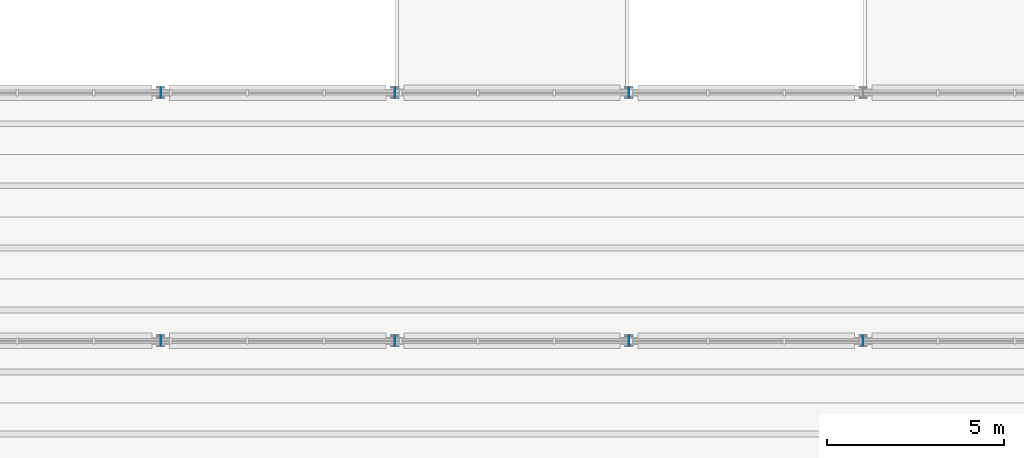
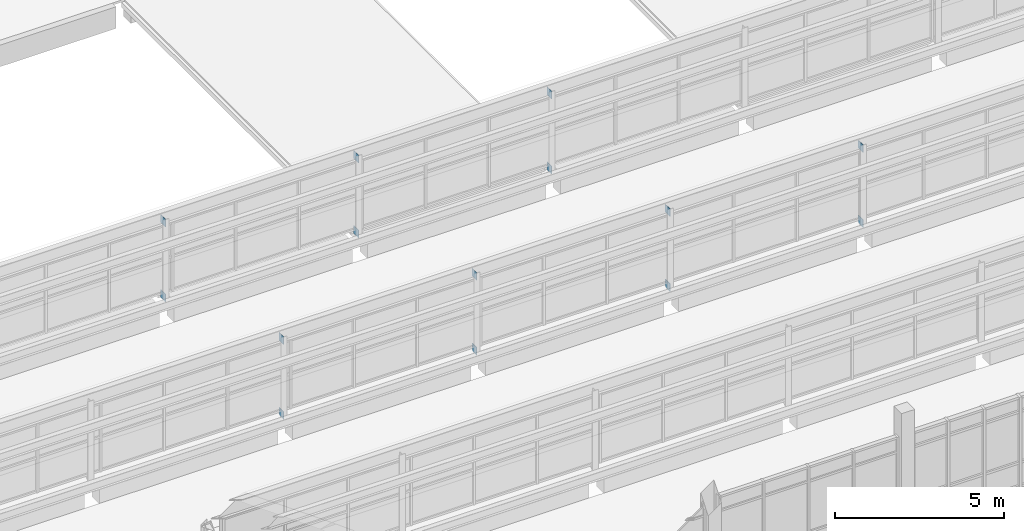
# One storey, part 78 of 92: 14 plates.
"""IFC4 building model written with IfcOpenShell, lengths in metres."""

from ifc_helpers import new_model, si_unit, direction, frame, origin, origin_2d, place, context, subcontext, project, spatial, rectangle, extrude, material, layer, layer_set, type_object, element, save


model = new_model("IFC4")

# Units and contexts
model_context = context("Model", 3, precision=1e-05, world=origin(), true_north=direction((0.0, 1.0)))
body_context = subcontext(model_context, "Body", "Model", "MODEL_VIEW")
ifc_project = project(units=[si_unit("LENGTHUNIT", "METRE"), si_unit("AREAUNIT", "SQUARE_METRE"), si_unit("VOLUMEUNIT", "CUBIC_METRE"), si_unit("PLANEANGLEUNIT", "RADIAN"), si_unit("MASSUNIT", "GRAM", prefix="KILO")], contexts=[model_context])

# Site, building, storey
site_placement = place(None, origin())
site = spatial("IfcSite", under=ifc_project, at=site_placement, CompositionType="ELEMENT")
building_placement = place(site_placement, origin())
building = spatial("IfcBuilding", under=site, at=building_placement, Name="Ciguamira Faculty of Natural Sciences", CompositionType="ELEMENT")
storey_placement = place(building_placement, frame((0.0, 0.0, 16.800048828125)))
storey = spatial("IfcBuildingStorey", under=building, at=storey_placement, Name="L04", CompositionType="ELEMENT", Elevation=16.800048828125)

# Plates
ifc_material = material(Name="Steel ASTM A572 Grade 50", Category="steel")
ifc_layer = layer(ifc_material, 0.01611328125, Name="Steel ASTM A572 Grade 50")
ifc_layer_set = layer_set([ifc_layer], Name="Steel ASTM A572 Grade 50")
plate_type = type_object("IfcPlateType", Name="GussetPlate_EP-01", PredefinedType="SHEET", material=ifc_layer_set)
for number, where, z_axis, x_axis, name in (
    (1, (70.5, 52.0, 0.0), (0.0, 0.0, 1.0), (1.0, 0.0, 0.0), "V4 wave 2 post connection plate 70-1"),
    (2, (70.5, 52.0, 2.7060546875), (0.0, 0.0, 1.0), (1.0, 0.0, 0.0), "V4 wave 2 post connection plate 70-2"),
    (3, (77.10009765625, 52.0, 0.0), (0.0, 0.0, 1.0), (1.0, 0.0, 0.0), "V4 wave 2 post connection plate 77-1"),
    (4, (77.10009765625, 52.0, 2.7060546875), (0.0, 0.0, 1.0), (1.0, 0.0, 0.0), "V4 wave 2 post connection plate 77-2"),
    (5, (83.699951171875, 52.0, 0.0), (0.0, 0.0, 1.0), (1.0, 0.0, 0.0), "V4 wave 2 post connection plate 84-1"),
    (6, (83.699951171875, 52.0, 2.7060546875), (0.0, 0.0, 1.0), (1.0, 0.0, 0.0), "V4 wave 2 post connection plate 84-2"),
    (7, (90.300048828125, 52.0, 0.0), (0.0, 0.0, 1.0), (1.0, 0.0, 0.0), "V4 wave 2 post connection plate 90-1"),
    (8, (90.300048828125, 52.0, 2.7060546875), (0.0, 0.0, 1.0), (1.0, 0.0, 0.0), "V4 wave 2 post connection plate 90-2"),
    (9, (70.5, 59.0, 0.0), (0.0, 0.0, 1.0), (1.0, 0.0, 0.0), "V4 wave 3 post connection plate 70-1"),
    (10, (70.5, 59.0, 2.7060546875), (0.0, 0.0, 1.0), (1.0, 0.0, 0.0), "V4 wave 3 post connection plate 70-2"),
    (11, (77.10009765625, 59.0, 0.0), (0.0, 0.0, 1.0), (1.0, 0.0, 0.0), "V4 wave 3 post connection plate 77-1"),
    (12, (77.10009765625, 59.0, 2.7060546875), (0.0, 0.0, 1.0), (1.0, 0.0, 0.0), "V4 wave 3 post connection plate 77-2"),
    (13, (83.699951171875, 59.0, 0.0), (0.0, 0.0, 1.0), (1.0, 0.0, 0.0), "V4 wave 3 post connection plate 84-1"),
    (14, (83.699951171875, 59.0, 2.7060546875), (0.0, 0.0, 1.0), (1.0, 0.0, 0.0), "V4 wave 3 post connection plate 84-2"),
):
    element("IfcPlate", number, at=place(storey_placement, frame(where, z_axis=z_axis, x_axis=x_axis)), inside=storey, type_object=plate_type, Name=name, PredefinedType="SHEET", context=body_context, shape_type="SweptSolid", body=[
        extrude(rectangle(XDim=0.01611328125, YDim=0.280029296875, at=origin_2d()), origin(), (0.0, 0.0, 1.0), 0.280029296875),
    ])

save(model, "model.ifc")
